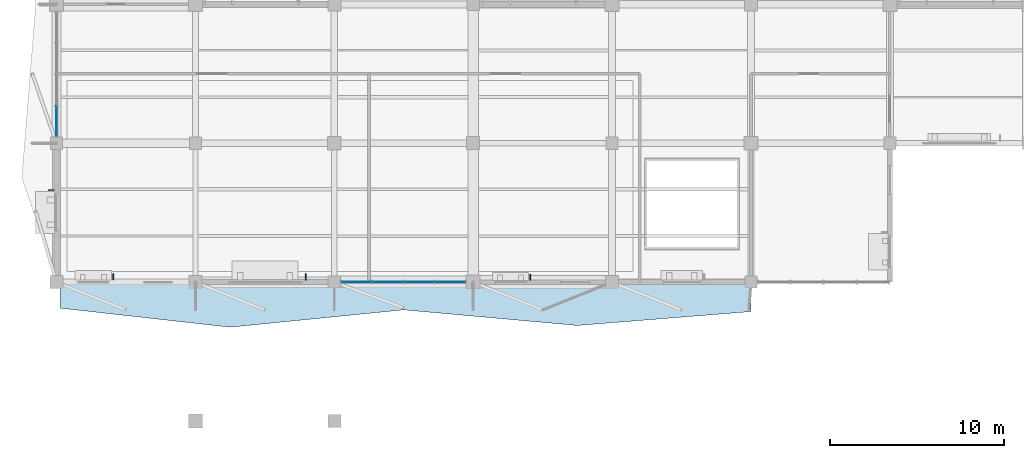
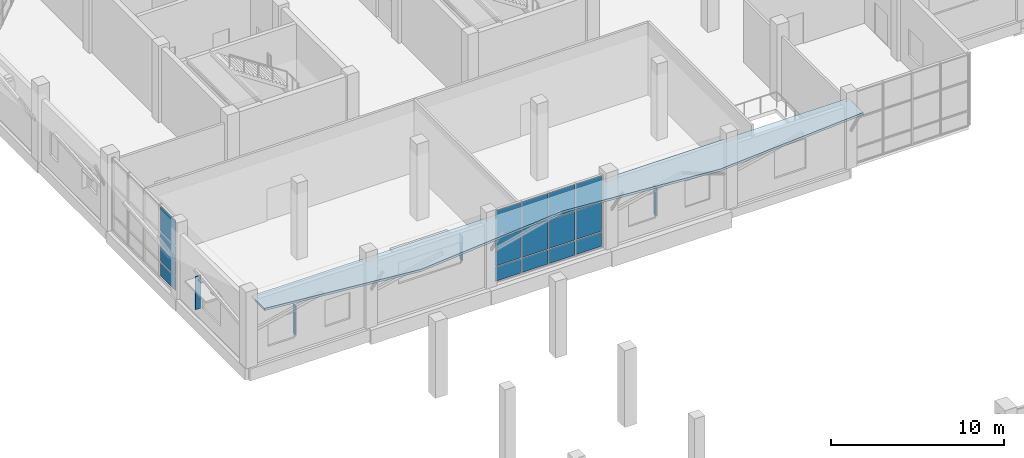
# One storey, part 78 of 122: 19 plates, 1 slab, 2 elements without a shape of their own.
"""IFC4 building model written with IfcOpenShell, lengths in metres."""

from ifc_helpers import new_model, si_unit, direction, frame, origin, origin_2d, place, context, subcontext, project, spatial, polyline, rectangle, outline, extrude, material, layer, layer_set, type_object, element, aggregate, save


model = new_model("IFC4")

# Units and contexts
model_context = context("Model", 3, precision=1e-05, world=origin(), true_north=direction((0.0, 1.0)))
body_context = subcontext(model_context, "Body", "Model", "MODEL_VIEW")
ifc_project = project(units=[si_unit("LENGTHUNIT", "METRE"), si_unit("AREAUNIT", "SQUARE_METRE"), si_unit("VOLUMEUNIT", "CUBIC_METRE"), si_unit("PLANEANGLEUNIT", "RADIAN"), si_unit("MASSUNIT", "GRAM", prefix="KILO")], contexts=[model_context])

# Site, building, storey
site_placement = place(None, origin())
site = spatial("IfcSite", under=ifc_project, at=site_placement, CompositionType="ELEMENT")
building_placement = place(site_placement, origin())
building = spatial("IfcBuilding", under=site, at=building_placement, Name="Tenunan Teduh Sports Hall", CompositionType="ELEMENT")
storey_placement = place(building_placement, frame((0.0, 0.0, 5.39990234375)))
storey = spatial("IfcBuildingStorey", under=building, at=storey_placement, Name="L01", CompositionType="ELEMENT", Elevation=5.39990234375)

# Curtain wall, plates
ifc_material_1 = material(Name="Anodised aluminium", Category="aluminium")
curtain_wall_type = type_object("IfcCurtainWallType", Name="CW-UNIT-1", PredefinedType="NOTDEFINED", material=ifc_material_1)
curtain_wall_1_placement = place(storey_placement, origin())
curtain_wall_1 = element("IfcCurtainWall", 1, at=curtain_wall_1_placement, inside=storey, type_object=curtain_wall_type, Name="CW-CWM-200-L01-200", PredefinedType="NOTDEFINED")
ifc_material_2 = material(Name="Low-E laminated double glazing", Category="glass")
ifc_layer_1 = layer(ifc_material_2, 0.028076171875)
ifc_layer_set_1 = layer_set([ifc_layer_1], Name="Low-E laminated double glazing")
plate_type_1 = type_object("IfcPlateType", Name="CWP-GLZ-28", PredefinedType="CURTAIN_PANEL", material=ifc_layer_set_1)
plate_1_placement = place(storey_placement, frame((23.273681640625, 78.0, 1.13525390625), z_axis=(0.0, 0.0, 1.0), x_axis=(1.0, 0.0, 0.0)))
plate_1 = element("IfcPlate", 2, at=plate_1_placement, type_object=plate_type_1, Name="CW-01 panel 1.2", PredefinedType="CURTAIN_PANEL", context=body_context, shape_type="SweptSolid", body=[
    extrude(rectangle(XDim=1.70751953125, YDim=0.028076171875, at=origin_2d()), origin(), (0.0, 0.0, 1.0), 2.030029296875),
])
plate_2_placement = place(storey_placement, frame((23.273681640625, 78.0, 3.235107421875), z_axis=(0.0, 0.0, 1.0), x_axis=(1.0, 0.0, 0.0)))
plate_2 = element("IfcPlate", 3, at=plate_2_placement, type_object=plate_type_1, Name="CW-01 panel 1.3", PredefinedType="CURTAIN_PANEL", context=body_context, shape_type="SweptSolid", body=[
    extrude(rectangle(XDim=1.70751953125, YDim=0.028076171875, at=origin_2d()), origin(), (0.0, 0.0, 1.0), 1.81494140625),
])
plate_3_placement = place(storey_placement, frame((25.06884765625, 78.0, 1.13525390625), z_axis=(0.0, 0.0, 1.0), x_axis=(1.0, 0.0, 0.0)))
plate_3 = element("IfcPlate", 4, at=plate_3_placement, type_object=plate_type_1, Name="CW-01 panel 2.2", PredefinedType="CURTAIN_PANEL", context=body_context, shape_type="SweptSolid", body=[
    extrude(rectangle(XDim=1.742431640625, YDim=0.028076171875, at=origin_2d()), origin(), (0.0, 0.0, 1.0), 2.030029296875),
])
plate_4_placement = place(storey_placement, frame((25.06884765625, 78.0, 3.235107421875), z_axis=(0.0, 0.0, 1.0), x_axis=(1.0, 0.0, 0.0)))
plate_4 = element("IfcPlate", 5, at=plate_4_placement, type_object=plate_type_1, Name="CW-01 panel 2.3", PredefinedType="CURTAIN_PANEL", context=body_context, shape_type="SweptSolid", body=[
    extrude(rectangle(XDim=1.742431640625, YDim=0.028076171875, at=origin_2d()), origin(), (0.0, 0.0, 1.0), 1.81494140625),
])
plate_5_placement = place(storey_placement, frame((26.88134765625, 78.0, 1.13525390625), z_axis=(0.0, 0.0, 1.0), x_axis=(1.0, 0.0, 0.0)))
plate_5 = element("IfcPlate", 6, at=plate_5_placement, type_object=plate_type_1, Name="CW-01 panel 3.2", PredefinedType="CURTAIN_PANEL", context=body_context, shape_type="SweptSolid", body=[
    extrude(rectangle(XDim=1.742431640625, YDim=0.028076171875, at=origin_2d()), origin(), (0.0, 0.0, 1.0), 2.030029296875),
])
plate_6_placement = place(storey_placement, frame((26.88134765625, 78.0, 3.235107421875), z_axis=(0.0, 0.0, 1.0), x_axis=(1.0, 0.0, 0.0)))
plate_6 = element("IfcPlate", 7, at=plate_6_placement, type_object=plate_type_1, Name="CW-01 panel 3.3", PredefinedType="CURTAIN_PANEL", context=body_context, shape_type="SweptSolid", body=[
    extrude(rectangle(XDim=1.742431640625, YDim=0.028076171875, at=origin_2d()), origin(), (0.0, 0.0, 1.0), 1.81494140625),
])
plate_7_placement = place(storey_placement, frame((28.67626953125, 78.0, 1.13525390625), z_axis=(0.0, 0.0, 1.0), x_axis=(1.0, 0.0, 0.0)))
plate_7 = element("IfcPlate", 8, at=plate_7_placement, type_object=plate_type_1, Name="CW-01 panel 4.2", PredefinedType="CURTAIN_PANEL", context=body_context, shape_type="SweptSolid", body=[
    extrude(rectangle(XDim=1.70751953125, YDim=0.028076171875, at=origin_2d()), origin(), (0.0, 0.0, 1.0), 2.030029296875),
])
plate_8_placement = place(storey_placement, frame((28.67626953125, 78.0, 3.235107421875), z_axis=(0.0, 0.0, 1.0), x_axis=(1.0, 0.0, 0.0)))
plate_8 = element("IfcPlate", 9, at=plate_8_placement, type_object=plate_type_1, Name="CW-01 panel 4.3", PredefinedType="CURTAIN_PANEL", context=body_context, shape_type="SweptSolid", body=[
    extrude(rectangle(XDim=1.70751953125, YDim=0.028076171875, at=origin_2d()), origin(), (0.0, 0.0, 1.0), 1.81494140625),
])

curtain_wall_2_placement = place(storey_placement, origin())
curtain_wall_2 = element("IfcCurtainWall", 10, at=curtain_wall_2_placement, inside=storey, type_object=curtain_wall_type, Name="CW-CWM-220-L01-209", PredefinedType="NOTDEFINED")
ifc_material_3 = material(Name="Solar-control laminated glazing", Category="glass")
ifc_layer_2 = layer(ifc_material_3, 0.031982421875)
ifc_layer_set_2 = layer_set([ifc_layer_2], Name="Solar-control laminated glazing")
plate_type_2 = type_object("IfcPlateType", Name="CWP-GLZ-32", PredefinedType="CURTAIN_PANEL", material=ifc_layer_set_2)
plate_9_placement = place(storey_placement, frame((6.0, 87.27490234375, 1.1376953125), z_axis=(0.0, 0.0, 1.0), x_axis=(0.0, 1.0, 0.0)))
plate_9 = element("IfcPlate", 11, at=plate_9_placement, type_object=plate_type_2, Name="CW-01 panel 1.2", PredefinedType="CURTAIN_PANEL", context=body_context, shape_type="SweptSolid", body=[
    extrude(rectangle(XDim=1.699951171875, YDim=0.031982421875, at=origin_2d()), origin(), (0.0, 0.0, 1.0), 2.02490234375),
])
plate_10_placement = place(storey_placement, frame((6.0, 87.27490234375, 3.237548828125), z_axis=(0.0, 0.0, 1.0), x_axis=(0.0, 1.0, 0.0)))
plate_10 = element("IfcPlate", 12, at=plate_10_placement, type_object=plate_type_2, Name="CW-01 panel 1.3", PredefinedType="CURTAIN_PANEL", context=body_context, shape_type="SweptSolid", body=[
    extrude(rectangle(XDim=1.699951171875, YDim=0.031982421875, at=origin_2d()), origin(), (0.0, 0.0, 1.0), 1.8076171875),
])

# Plate
ifc_material_4 = material(Name="Insulated aluminium spandrel panel", Category="aluminium")
ifc_layer_3 = layer(ifc_material_4, 0.044921875)
ifc_layer_set_3 = layer_set([ifc_layer_3], Name="Insulated aluminium spandrel panel")
plate_type_3 = type_object("IfcPlateType", Name="CWP-SPN-45", PredefinedType="CURTAIN_PANEL", material=ifc_layer_set_3)
plate_11_placement = place(storey_placement, frame((23.273681640625, 78.0, 0.070068359375), z_axis=(0.0, 0.0, 1.0), x_axis=(1.0, 0.0, 0.0)))
plate_11 = element("IfcPlate", 13, at=plate_11_placement, type_object=plate_type_3, Name="CW-01 panel 1.1", PredefinedType="CURTAIN_PANEL", context=body_context, shape_type="SweptSolid", body=[
    extrude(rectangle(XDim=1.70751953125, YDim=0.028076171875, at=origin_2d()), origin(), (0.0, 0.0, 1.0), 0.9951171875),
])

plate_12_placement = place(storey_placement, frame((25.06884765625, 78.0, 0.070068359375), z_axis=(0.0, 0.0, 1.0), x_axis=(1.0, 0.0, 0.0)))
plate_12 = element("IfcPlate", 14, at=plate_12_placement, type_object=plate_type_3, Name="CW-01 panel 2.1", PredefinedType="CURTAIN_PANEL", context=body_context, shape_type="SweptSolid", body=[
    extrude(rectangle(XDim=1.742431640625, YDim=0.028076171875, at=origin_2d()), origin(), (0.0, 0.0, 1.0), 0.9951171875),
])

plate_13_placement = place(storey_placement, frame((26.88134765625, 78.0, 0.070068359375), z_axis=(0.0, 0.0, 1.0), x_axis=(1.0, 0.0, 0.0)))
plate_13 = element("IfcPlate", 15, at=plate_13_placement, type_object=plate_type_3, Name="CW-01 panel 3.1", PredefinedType="CURTAIN_PANEL", context=body_context, shape_type="SweptSolid", body=[
    extrude(rectangle(XDim=1.742431640625, YDim=0.028076171875, at=origin_2d()), origin(), (0.0, 0.0, 1.0), 0.9951171875),
])

plate_14_placement = place(storey_placement, frame((28.67626953125, 78.0, 0.070068359375), z_axis=(0.0, 0.0, 1.0), x_axis=(1.0, 0.0, 0.0)))
plate_14 = element("IfcPlate", 16, at=plate_14_placement, type_object=plate_type_3, Name="CW-01 panel 4.1", PredefinedType="CURTAIN_PANEL", context=body_context, shape_type="SweptSolid", body=[
    extrude(rectangle(XDim=1.70751953125, YDim=0.028076171875, at=origin_2d()), origin(), (0.0, 0.0, 1.0), 0.9951171875),
])

aggregate(curtain_wall_1, [plate_11, plate_1, plate_2, plate_12, plate_3, plate_4, plate_13, plate_5, plate_6, plate_14, plate_7, plate_8])

plate_15_placement = place(storey_placement, frame((6.0, 87.27490234375, 0.0751953125), z_axis=(0.0, 0.0, 1.0), x_axis=(0.0, 1.0, 0.0)))
plate_15 = element("IfcPlate", 17, at=plate_15_placement, type_object=plate_type_3, Name="CW-01 panel 1.1", PredefinedType="CURTAIN_PANEL", context=body_context, shape_type="SweptSolid", body=[
    extrude(rectangle(XDim=1.699951171875, YDim=0.031982421875, at=origin_2d()), origin(), (0.0, 0.0, 1.0), 0.987548828125),
])

aggregate(curtain_wall_2, [plate_15, plate_9, plate_10])

# Plates
ifc_material_5 = material(Name="Anodised aluminium", Category="aluminium")
ifc_layer_4 = layer(ifc_material_5, 1.89990234375)
ifc_layer_set_4 = layer_set([ifc_layer_4], Name="Anodised aluminium")
plate_type_4 = type_object("IfcPlateType", Name="PLT-FIN-1", PredefinedType="SHEET", material=ifc_layer_set_4)
plate_16_placement = place(storey_placement, frame((9.264892578125, 78.304931640625, 0.780029296875), z_axis=(0.0, 0.0, 1.0), x_axis=(1.0, 0.0, 0.0)))
element("IfcPlate", 18, at=plate_16_placement, inside=storey, type_object=plate_type_4, Name="PLT-FIN-L01-022", PredefinedType="SHEET", context=body_context, shape_type="SweptSolid", body=[
    extrude(rectangle(XDim=0.0400390625, YDim=0.360107421875, at=origin_2d()), origin(), (0.0, 0.0, 1.0), 2.0400390625),
])
plate_17_placement = place(storey_placement, frame((20.35498046875, 78.300048828125, 2.1298828125), z_axis=(0.0, 0.0, 1.0), x_axis=(1.0, 0.0, 0.0)))
element("IfcPlate", 19, at=plate_17_placement, inside=storey, type_object=plate_type_4, Name="PLT-FIN-L01-023", PredefinedType="SHEET", context=body_context, shape_type="SweptSolid", body=[
    extrude(rectangle(XDim=0.0400390625, YDim=0.360107421875, at=origin_2d()), origin(), (0.0, 0.0, 1.0), 1.739990234375),
])
plate_18_placement = place(storey_placement, frame((33.2900390625, 78.284912109375, 0.780029296875), z_axis=(0.0, 0.0, 1.0), x_axis=(1.0, 0.0, 0.0)))
element("IfcPlate", 20, at=plate_18_placement, inside=storey, type_object=plate_type_4, Name="PLT-FIN-L01-024", PredefinedType="SHEET", context=body_context, shape_type="SweptSolid", body=[
    extrude(rectangle(XDim=0.0400390625, YDim=0.360107421875, at=origin_2d()), origin(), (0.0, 0.0, 1.0), 2.0400390625),
])
plate_19_placement = place(storey_placement, frame((5.699951171875, 83.304931640625, 0.7802734375), z_axis=(0.0, 0.0, 1.0), x_axis=(0.0, 1.0, 0.0)))
element("IfcPlate", 21, at=plate_19_placement, inside=storey, type_object=plate_type_4, Name="PLT-FIN-L01-035", PredefinedType="SHEET", context=body_context, shape_type="SweptSolid", body=[
    extrude(rectangle(XDim=0.0400390625, YDim=0.360107421875, at=origin_2d()), origin(), (0.0, 0.0, 1.0), 2.340087890625),
])

# Slab
ifc_material_6 = material(Name="Concrete C40/50", Category="concrete")
ifc_layer_5 = layer(ifc_material_6, 0.159912109375)
ifc_layer_set_5 = layer_set([ifc_layer_5], Name="Concrete C40/50")
slab_type = type_object("IfcSlabType", Name="SLB-ROOF-160", PredefinedType="ROOF", material=ifc_layer_set_5)
slab_placement = place(storey_placement, frame((0.0, 0.0, 4.590087890625)))
element("IfcSlab", 22, at=slab_placement, inside=storey, type_object=slab_type, Name="Window Head Sun-Shade Hood SHD-RIB-V5W-S-L01", PredefinedType="ROOF", context=body_context, shape_type="SweptSolid", body=[
    extrude(outline(polyline([(6.199951171875, 78.0), (46.0, 78.0), (46.0, 76.300048828125), (36.0, 75.5), (26.0, 76.39990234375), (16.0, 75.39990234375), (6.199951171875, 76.5), (6.199951171875, 78.0)])), origin(), (0.0, 0.0, 1.0), 0.159912109375),
])

save(model, "model.ifc")
